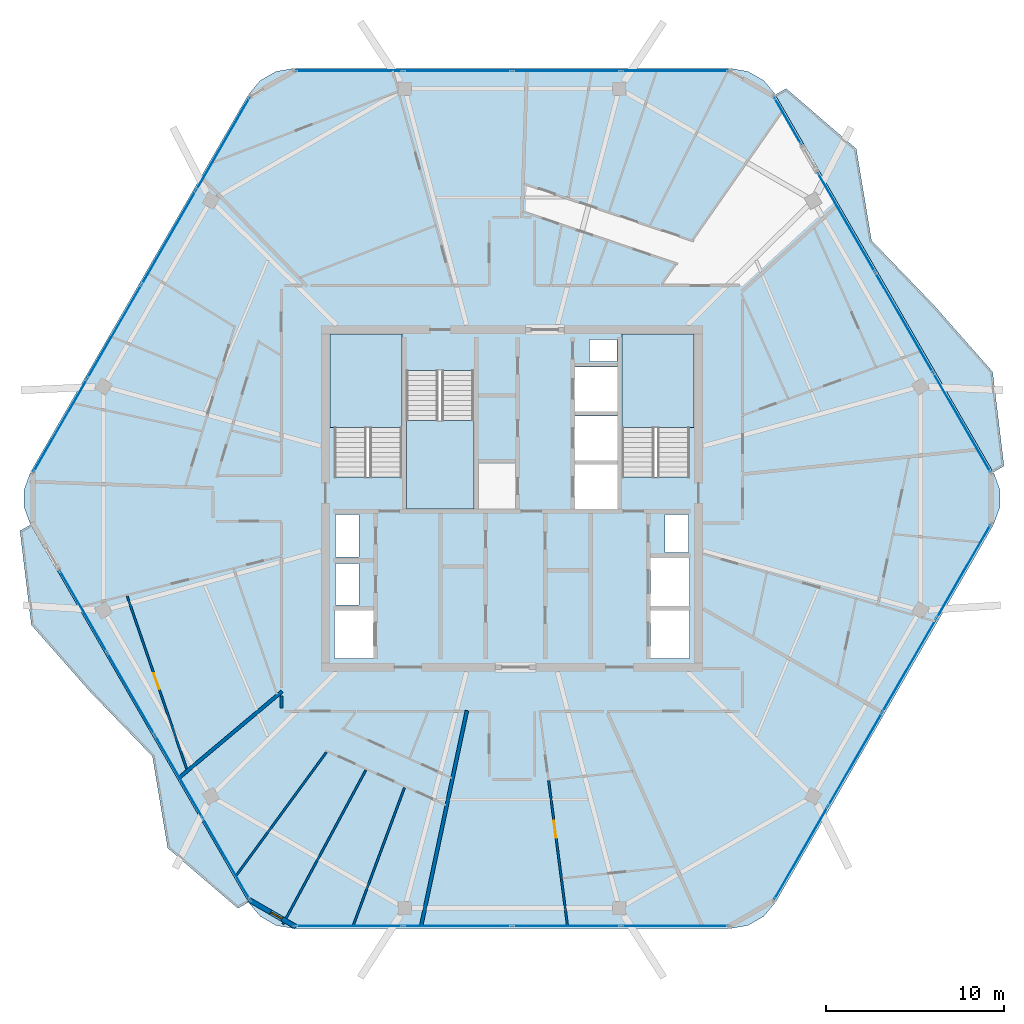
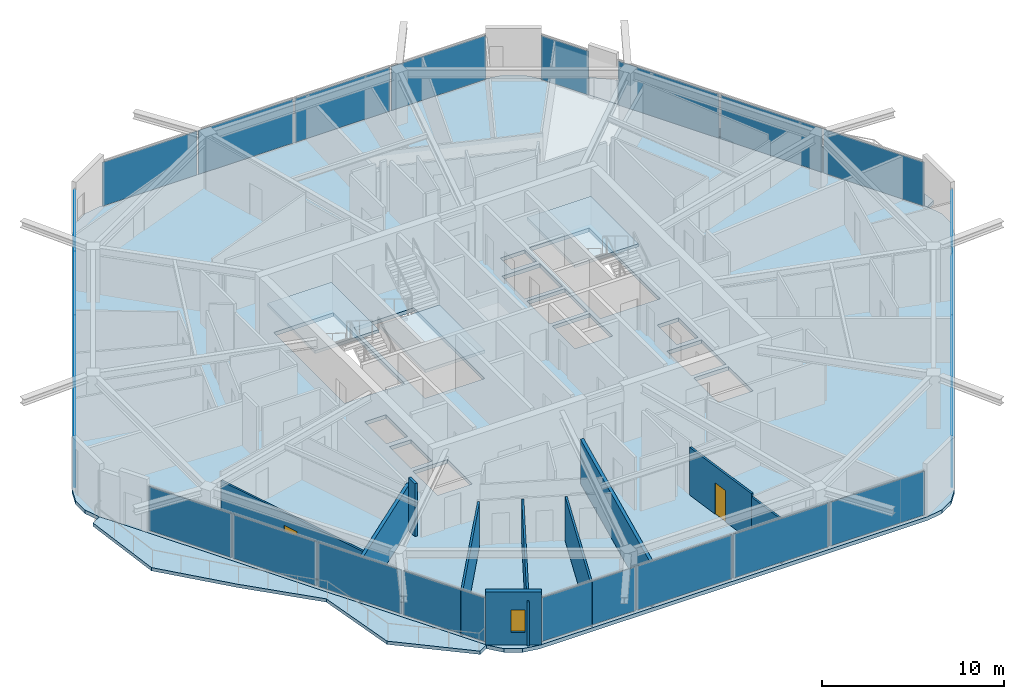
# One storey, part 11 of 18: 24 plates, 10 walls, 6 slabs, 2 doors, 1 window, 3 openings, 10 elements without a shape of their own.
"""IFC4 building model written with IfcOpenShell, lengths in metres."""

from ifc_helpers import new_model, si_unit, direction, frame, frame_2d, origin, origin_2d, place, context, subcontext, project, spatial, polyline, rectangle, outline, extrude, material, layer, layer_set, type_object, element, fill, aggregate, save


model = new_model("IFC4")

# Units and contexts
model_context = context("Model", 3, precision=1e-05, world=origin(), true_north=direction((0.0, 1.0)))
body_context = subcontext(model_context, "Body", "Model", "MODEL_VIEW")
ifc_project = project(units=[si_unit("LENGTHUNIT", "METRE"), si_unit("AREAUNIT", "SQUARE_METRE"), si_unit("VOLUMEUNIT", "CUBIC_METRE"), si_unit("PLANEANGLEUNIT", "RADIAN"), si_unit("MASSUNIT", "GRAM", prefix="KILO")], contexts=[model_context])

# Site, building, storey
site_placement = place(None, origin())
site = spatial("IfcSite", under=ifc_project, at=site_placement, CompositionType="ELEMENT")
building_placement = place(site_placement, origin())
building = spatial("IfcBuilding", under=site, at=building_placement, Name="Zuhravey Tower", CompositionType="ELEMENT")
storey_placement = place(building_placement, frame((0.0, 0.0, 342.39990234375)))
storey = spatial("IfcBuildingStorey", under=building, at=storey_placement, Name="L87", CompositionType="ELEMENT", Elevation=342.39990234375)

# Slabs
ifc_material_1 = material(Name="Concrete C50/60", Category="concrete")
ifc_layer_1 = layer(ifc_material_1, 0.25)
ifc_layer_set_1 = layer_set([ifc_layer_1], Name="Concrete C50/60")
slab_type_1 = type_object("IfcSlabType", Name="Residential Acoustic Slab 250", PredefinedType="FLOOR", material=ifc_layer_set_1)
slab_1_placement = place(storey_placement, frame((0.0, 0.0, -0.25)))
element("IfcSlab", 1, at=slab_1_placement, inside=storey, type_object=slab_type_1, Name="L87 Floor Slab FS25", PredefinedType="FLOOR", context=body_context, shape_type="SweptSolid", body=[
    extrude(outline(polyline([(63.1083984375, 30.52490234375), (63.458740234375, 31.48779296875), (63.458740234375, 32.51220703125), (63.1083984375, 33.47509765625), (50.83154296875, 54.739013671875), (50.173095703125, 55.52392578125), (49.285888671875, 56.0361328125), (48.27685546875, 56.214111328125), (23.72314453125, 56.214111328125), (22.714111328125, 56.0361328125), (21.826904296875, 55.52392578125), (21.16845703125, 54.739013671875), (8.8916015625, 33.47509765625), (8.541259765625, 32.51220703125), (8.541259765625, 31.48779296875), (8.8916015625, 30.52490234375), (21.16845703125, 9.260986328125), (21.826904296875, 8.47607421875), (22.714111328125, 7.9638671875), (23.72314453125, 7.785888671875), (48.27685546875, 7.785888671875), (49.285888671875, 7.9638671875), (50.173095703125, 8.47607421875), (50.83154296875, 9.260986328125), (63.1083984375, 30.52490234375)]), holes=[polyline([(29.800048828125, 33.20068359375), (29.800048828125, 41.0), (26.0, 41.0), (26.0, 33.20068359375), (29.800048828125, 33.20068359375)]), polyline([(46.0, 33.20068359375), (46.0, 41.0), (42.199951171875, 41.0), (42.199951171875, 33.20068359375), (46.0, 33.20068359375)]), polyline([(30.050048828125, 39.199462890625), (30.050048828125, 31.39990234375), (33.85009765625, 31.39990234375), (33.85009765625, 39.199462890625), (30.050048828125, 39.199462890625)]), polyline([(39.550048828125, 31.39990234375), (41.949951171875, 31.39990234375), (41.949951171875, 33.89990234375), (39.550048828125, 33.89990234375), (39.550048828125, 31.39990234375)]), polyline([(39.550048828125, 34.14990234375), (41.949951171875, 34.14990234375), (41.949951171875, 36.64990234375), (39.550048828125, 36.64990234375), (39.550048828125, 34.14990234375)]), polyline([(39.550048828125, 36.89990234375), (41.949951171875, 36.89990234375), (41.949951171875, 39.39990234375), (39.550048828125, 39.39990234375), (39.550048828125, 36.89990234375)]), polyline([(26.0, 23.0), (28.199951171875, 23.0), (28.199951171875, 25.699951171875), (26.0, 25.699951171875), (26.0, 23.0)]), polyline([(43.800048828125, 23.0), (46.0, 23.0), (46.0, 25.699951171875), (43.800048828125, 25.699951171875), (43.800048828125, 23.0)]), polyline([(43.800048828125, 25.949951171875), (46.0, 25.949951171875), (46.0, 28.64990234375), (43.800048828125, 28.64990234375), (43.800048828125, 25.949951171875)]), polyline([(26.050048828125, 26.0), (27.39990234375, 26.0), (27.39990234375, 28.35009765625), (26.050048828125, 28.35009765625), (26.050048828125, 26.0)]), polyline([(26.050048828125, 28.699951171875), (27.39990234375, 28.699951171875), (27.39990234375, 31.10009765625), (26.050048828125, 31.10009765625), (26.050048828125, 28.699951171875)]), polyline([(44.60009765625, 28.949951171875), (45.949951171875, 28.949951171875), (45.949951171875, 31.10009765625), (44.60009765625, 31.10009765625), (44.60009765625, 28.949951171875)]), polyline([(40.35009765625, 39.699951171875), (41.89990234375, 39.699951171875), (41.89990234375, 40.949951171875), (40.35009765625, 40.949951171875), (40.35009765625, 39.699951171875)])]), origin(), (0.0, 0.0, 1.0), 0.25),
])
ifc_material_2 = material(Name="Concrete C40/50", Category="concrete")
ifc_layer_2 = layer(ifc_material_2, 0.219970703125)
ifc_layer_set_2 = layer_set([ifc_layer_2], Name="Concrete C40/50")
slab_type_2 = type_object("IfcSlabType", Name="Sinusoidal Residential Wave Balcony 220", PredefinedType="FLOOR", material=ifc_layer_set_2)
slab_2_placement = place(storey_placement, frame((0.0, 0.0, -0.219970703125)))
element("IfcSlab", 2, at=slab_2_placement, inside=storey, type_object=slab_type_2, Name="L87 Face 4 Wave Balcony WB22", PredefinedType="FLOOR", context=body_context, shape_type="SweptSolid", body=[
    extrude(outline(polyline([(8.908935546875, 30.52490234375), (21.177001953125, 9.27587890625), (20.57080078125, 8.92578125), (16.623779296875, 12.3134765625), (15.761474609375, 17.48193359375), (12.252197265625, 21.122314453125), (8.943603515625, 24.878662109375), (8.302734375, 30.175048828125), (8.908935546875, 30.52490234375)])), origin(), (0.0, 0.0, 1.0), 0.219970703125),
])
slab_3_placement = place(storey_placement, frame((0.0, 0.0, -0.219970703125)))
element("IfcSlab", 3, at=slab_3_placement, inside=storey, type_object=slab_type_2, Name="L87 Face 1 Wave Balcony WB22", PredefinedType="FLOOR", context=body_context, shape_type="SweptSolid", body=[
    extrude(outline(polyline([(63.091064453125, 33.47509765625), (50.822998046875, 54.72412109375), (51.42919921875, 55.07421875), (55.376220703125, 51.6865234375), (56.238525390625, 46.51806640625), (59.747802734375, 42.877685546875), (63.056396484375, 39.121337890625), (63.697265625, 33.824951171875), (63.091064453125, 33.47509765625)])), origin(), (0.0, 0.0, 1.0), 0.219970703125),
])

# Stair, slab
stair_type = type_object("IfcStairType", Name="Housing Storey Stair Assembly 3800", PredefinedType="HALF_TURN_STAIR", material=ifc_material_2)
stair_1_placement = place(storey_placement, origin())
stair_1 = element("IfcStair", 4, at=stair_1_placement, inside=storey, type_object=stair_type, Name="L87 Core Exit Stair ST1", PredefinedType="HALF_TURN_STAIR")
ifc_layer_3 = layer(ifc_material_2, 0.199951171875)
ifc_layer_set_3 = layer_set([ifc_layer_3], Name="Concrete C40/50")
slab_type_3 = type_object("IfcSlabType", Name="Stair Landing Slab 200", PredefinedType="LANDING", material=ifc_layer_set_3)
slab_4_placement = place(storey_placement, frame((0.0, 0.0, 1.7001953125)))
slab_4 = element("IfcSlab", 5, at=slab_4_placement, type_object=slab_type_3, Name="ST1 landing 1", PredefinedType="LANDING", context=body_context, shape_type="SweptSolid", body=[
    extrude(outline(polyline([(29.800048828125, 36.0), (29.800048828125, 41.248046875), (25.751953125, 41.248046875), (25.751953125, 36.0), (29.800048828125, 36.0)])), origin(), (0.0, 0.0, 1.0), 0.199951171875),
])
aggregate(stair_1, [slab_4])

stair_2_placement = place(storey_placement, origin())
stair_2 = element("IfcStair", 6, at=stair_2_placement, inside=storey, type_object=stair_type, Name="L87 Core Exit Stair ST2", PredefinedType="HALF_TURN_STAIR")
slab_5_placement = place(storey_placement, frame((0.0, 0.0, 1.7001953125)))
slab_5 = element("IfcSlab", 7, at=slab_5_placement, type_object=slab_type_3, Name="ST2 landing 1", PredefinedType="LANDING", context=body_context, shape_type="SweptSolid", body=[
    extrude(outline(polyline([(46.248046875, 36.0), (46.248046875, 41.248046875), (42.199951171875, 41.248046875), (42.199951171875, 36.0), (46.248046875, 36.0)])), origin(), (0.0, 0.0, 1.0), 0.199951171875),
])
aggregate(stair_2, [slab_5])

stair_3_placement = place(storey_placement, origin())
stair_3 = element("IfcStair", 8, at=stair_3_placement, inside=storey, type_object=stair_type, Name="L87 Core Exit Stair ST3", PredefinedType="HALF_TURN_STAIR")
slab_6_placement = place(storey_placement, frame((0.0, 0.0, 1.7001953125)))
slab_6 = element("IfcSlab", 9, at=slab_6_placement, type_object=slab_type_3, Name="ST3 landing 1", PredefinedType="LANDING", context=body_context, shape_type="SweptSolid", body=[
    extrude(outline(polyline([(30.050048828125, 36.39990234375), (30.050048828125, 31.39990234375), (33.85009765625, 31.39990234375), (33.85009765625, 36.39990234375), (30.050048828125, 36.39990234375)])), origin(), (0.0, 0.0, 1.0), 0.199951171875),
])
aggregate(stair_3, [slab_6])

# Curtain wall, plates
ifc_material_3 = material(Name="Thermally broken anodised aluminium", Category="aluminium")
curtain_wall_type = type_object("IfcCurtainWallType", Name="Zone 3-4 High-Rise Curtain Wall CW4", PredefinedType="NOTDEFINED", material=ifc_material_3)
curtain_wall_1_placement = place(storey_placement, origin())
curtain_wall_1 = element("IfcCurtainWall", 10, at=curtain_wall_1_placement, inside=storey, type_object=curtain_wall_type, Name="L87 CW4 CW-L87-F6-1", PredefinedType="NOTDEFINED")
ifc_material_4 = material(Name="Triple low-E insulated vision glass", Category="glass")
ifc_layer_4 = layer(ifc_material_4, 0.0419921875)
ifc_layer_set_4 = layer_set([ifc_layer_4], Name="Triple low-E insulated vision glass")
plate_type = type_object("IfcPlateType", Name="Triple Low-E Vision Panel", PredefinedType="CURTAIN_PANEL", material=ifc_layer_set_4)
plate_1_placement = place(storey_placement, frame((61.42724609375, 27.89306640625, 0.090087890625), z_axis=(0.0, 0.0, 1.0), x_axis=(-0.49999981336, -0.866025511541, 0.0)))
plate_1 = element("IfcPlate", 11, at=plate_1_placement, type_object=plate_type, Name="CW4 panel 1.1", PredefinedType="CURTAIN_PANEL", context=body_context, shape_type="SweptSolid", body=[
    extrude(rectangle(XDim=5.984619140625, YDim=0.0419921875, at=origin_2d()), origin(), (0.0, 0.0, 1.0), 2.94189453125),
])
plate_2_placement = place(storey_placement, frame((58.378662109375, 22.61279296875, 0.090087890625), z_axis=(0.0, 0.0, 1.0), x_axis=(-0.49999981336, -0.866025511541, 0.0)))
plate_2 = element("IfcPlate", 12, at=plate_2_placement, type_object=plate_type, Name="CW4 panel 2.1", PredefinedType="CURTAIN_PANEL", context=body_context, shape_type="SweptSolid", body=[
    extrude(rectangle(XDim=6.029541015625, YDim=0.0419921875, at=origin_2d()), origin(), (0.0, 0.0, 1.0), 2.94189453125),
])
plate_3_placement = place(storey_placement, frame((55.31884765625, 17.31298828125, 0.090087890625), z_axis=(0.0, 0.0, 1.0), x_axis=(-0.49999981336, -0.866025511541, 0.0)))
plate_3 = element("IfcPlate", 13, at=plate_3_placement, type_object=plate_type, Name="CW4 panel 3.1", PredefinedType="CURTAIN_PANEL", context=body_context, shape_type="SweptSolid", body=[
    extrude(rectangle(XDim=6.029541015625, YDim=0.0419921875, at=origin_2d()), origin(), (0.0, 0.0, 1.0), 2.94189453125),
])
plate_4_placement = place(storey_placement, frame((52.270263671875, 12.03271484375, 0.090087890625), z_axis=(0.0, 0.0, 1.0), x_axis=(-0.49999981336, -0.866025511541, 0.0)))
plate_4 = element("IfcPlate", 14, at=plate_4_placement, type_object=plate_type, Name="CW4 panel 4.1", PredefinedType="CURTAIN_PANEL", context=body_context, shape_type="SweptSolid", body=[
    extrude(rectangle(XDim=5.984619140625, YDim=0.0419921875, at=origin_2d()), origin(), (0.0, 0.0, 1.0), 2.94189453125),
])
aggregate(curtain_wall_1, [plate_1, plate_2, plate_3, plate_4])

curtain_wall_2_placement = place(storey_placement, origin())
curtain_wall_2 = element("IfcCurtainWall", 15, at=curtain_wall_2_placement, inside=storey, type_object=curtain_wall_type, Name="L87 CW4 CW-L87-F5-1", PredefinedType="NOTDEFINED")
plate_5_placement = place(storey_placement, frame((45.156982421875, 7.92578125, 0.090087890625), z_axis=(0.0, 0.0, 1.0), x_axis=(-1.0, 0.0, 0.0)))
plate_5 = element("IfcPlate", 16, at=plate_5_placement, type_object=plate_type, Name="CW4 panel 1.1", PredefinedType="CURTAIN_PANEL", context=body_context, shape_type="SweptSolid", body=[
    extrude(rectangle(XDim=5.984619140625, YDim=0.0419921875, at=origin_2d()), origin(), (0.0, 0.0, 1.0), 2.94189453125),
])
plate_6_placement = place(storey_placement, frame((39.059814453125, 7.92578125, 0.090087890625), z_axis=(0.0, 0.0, 1.0), x_axis=(-1.0, 0.0, 0.0)))
plate_6 = element("IfcPlate", 17, at=plate_6_placement, type_object=plate_type, Name="CW4 panel 2.1", PredefinedType="CURTAIN_PANEL", context=body_context, shape_type="SweptSolid", body=[
    extrude(rectangle(XDim=6.029541015625, YDim=0.0419921875, at=origin_2d()), origin(), (0.0, 0.0, 1.0), 2.94189453125),
])
plate_7_placement = place(storey_placement, frame((32.940185546875, 7.92578125, 0.090087890625), z_axis=(0.0, 0.0, 1.0), x_axis=(-1.0, 0.0, 0.0)))
plate_7 = element("IfcPlate", 18, at=plate_7_placement, type_object=plate_type, Name="CW4 panel 3.1", PredefinedType="CURTAIN_PANEL", context=body_context, shape_type="SweptSolid", body=[
    extrude(rectangle(XDim=6.029541015625, YDim=0.0419921875, at=origin_2d()), origin(), (0.0, 0.0, 1.0), 2.94189453125),
])
plate_8_placement = place(storey_placement, frame((26.843017578125, 7.92578125, 0.090087890625), z_axis=(0.0, 0.0, 1.0), x_axis=(-1.0, 0.0, 0.0)))
plate_8 = element("IfcPlate", 19, at=plate_8_placement, type_object=plate_type, Name="CW4 panel 4.1", PredefinedType="CURTAIN_PANEL", context=body_context, shape_type="SweptSolid", body=[
    extrude(rectangle(XDim=5.984619140625, YDim=0.0419921875, at=origin_2d()), origin(), (0.0, 0.0, 1.0), 2.94189453125),
])
aggregate(curtain_wall_2, [plate_5, plate_6, plate_7, plate_8])

curtain_wall_3_placement = place(storey_placement, origin())
curtain_wall_3 = element("IfcCurtainWall", 20, at=curtain_wall_3_placement, inside=storey, type_object=curtain_wall_type, Name="L87 CW4 CW-L87-F4-1", PredefinedType="NOTDEFINED")
plate_9_placement = place(storey_placement, frame((19.914306640625, 11.712890625, 0.090087890625), z_axis=(0.0, 0.0, 1.0), x_axis=(-0.499999146728, 0.866025896421, 0.0)))
plate_9 = element("IfcPlate", 21, at=plate_9_placement, type_object=plate_type, Name="CW4 panel 1.1", PredefinedType="CURTAIN_PANEL", context=body_context, shape_type="SweptSolid", body=[
    extrude(rectangle(XDim=5.245849609375, YDim=0.0419921875, at=origin_2d()), origin(), (0.0, 0.0, 1.0), 2.94189453125),
])
plate_10_placement = place(storey_placement, frame((17.235107421875, 16.353515625, 0.090087890625), z_axis=(0.0, 0.0, 1.0), x_axis=(-0.499999146728, 0.866025896421, 0.0)))
plate_10 = element("IfcPlate", 22, at=plate_10_placement, type_object=plate_type, Name="CW4 panel 2.1", PredefinedType="CURTAIN_PANEL", context=body_context, shape_type="SweptSolid", body=[
    extrude(rectangle(XDim=5.291015625, YDim=0.0419921875, at=origin_2d()), origin(), (0.0, 0.0, 1.0), 2.94189453125),
])
plate_11_placement = place(storey_placement, frame((14.544677734375, 21.013427734375, 0.090087890625), z_axis=(0.0, 0.0, 1.0), x_axis=(-0.499999146728, 0.866025896421, 0.0)))
plate_11 = element("IfcPlate", 23, at=plate_11_placement, type_object=plate_type, Name="CW4 panel 3.1", PredefinedType="CURTAIN_PANEL", context=body_context, shape_type="SweptSolid", body=[
    extrude(rectangle(XDim=5.291015625, YDim=0.0419921875, at=origin_2d()), origin(), (0.0, 0.0, 1.0), 2.94189453125),
])
plate_12_placement = place(storey_placement, frame((11.865478515625, 25.654052734375, 0.090087890625), z_axis=(0.0, 0.0, 1.0), x_axis=(-0.499999146728, 0.866025896421, 0.0)))
plate_12 = element("IfcPlate", 24, at=plate_12_placement, type_object=plate_type, Name="CW4 panel 4.1", PredefinedType="CURTAIN_PANEL", context=body_context, shape_type="SweptSolid", body=[
    extrude(rectangle(XDim=5.245849609375, YDim=0.0419921875, at=origin_2d()), origin(), (0.0, 0.0, 1.0), 2.94189453125),
])
aggregate(curtain_wall_3, [plate_9, plate_10, plate_11, plate_12])

curtain_wall_4_placement = place(storey_placement, origin())
curtain_wall_4 = element("IfcCurtainWall", 25, at=curtain_wall_4_placement, inside=storey, type_object=curtain_wall_type, Name="L87 CW4 CW-L87-F3-1", PredefinedType="NOTDEFINED")
plate_13_placement = place(storey_placement, frame((10.57275390625, 36.10693359375, 0.090087890625), z_axis=(0.0, 0.0, 1.0), x_axis=(0.49999981336, 0.866025511541, 0.0)))
plate_13 = element("IfcPlate", 26, at=plate_13_placement, type_object=plate_type, Name="CW4 panel 1.1", PredefinedType="CURTAIN_PANEL", context=body_context, shape_type="SweptSolid", body=[
    extrude(rectangle(XDim=5.984619140625, YDim=0.0419921875, at=origin_2d()), origin(), (0.0, 0.0, 1.0), 2.94189453125),
])
plate_14_placement = place(storey_placement, frame((13.621337890625, 41.38720703125, 0.090087890625), z_axis=(0.0, 0.0, 1.0), x_axis=(0.49999981336, 0.866025511541, 0.0)))
plate_14 = element("IfcPlate", 27, at=plate_14_placement, type_object=plate_type, Name="CW4 panel 2.1", PredefinedType="CURTAIN_PANEL", context=body_context, shape_type="SweptSolid", body=[
    extrude(rectangle(XDim=6.029541015625, YDim=0.0419921875, at=origin_2d()), origin(), (0.0, 0.0, 1.0), 2.94189453125),
])
plate_15_placement = place(storey_placement, frame((16.68115234375, 46.68701171875, 0.090087890625), z_axis=(0.0, 0.0, 1.0), x_axis=(0.49999981336, 0.866025511541, 0.0)))
plate_15 = element("IfcPlate", 28, at=plate_15_placement, type_object=plate_type, Name="CW4 panel 3.1", PredefinedType="CURTAIN_PANEL", context=body_context, shape_type="SweptSolid", body=[
    extrude(rectangle(XDim=6.029541015625, YDim=0.0419921875, at=origin_2d()), origin(), (0.0, 0.0, 1.0), 2.94189453125),
])
plate_16_placement = place(storey_placement, frame((19.729736328125, 51.96728515625, 0.090087890625), z_axis=(0.0, 0.0, 1.0), x_axis=(0.49999981336, 0.866025511541, 0.0)))
plate_16 = element("IfcPlate", 29, at=plate_16_placement, type_object=plate_type, Name="CW4 panel 4.1", PredefinedType="CURTAIN_PANEL", context=body_context, shape_type="SweptSolid", body=[
    extrude(rectangle(XDim=5.984619140625, YDim=0.0419921875, at=origin_2d()), origin(), (0.0, 0.0, 1.0), 2.94189453125),
])
aggregate(curtain_wall_4, [plate_13, plate_14, plate_15, plate_16])

curtain_wall_5_placement = place(storey_placement, origin())
curtain_wall_5 = element("IfcCurtainWall", 30, at=curtain_wall_5_placement, inside=storey, type_object=curtain_wall_type, Name="L87 CW4 CW-L87-F2-1", PredefinedType="NOTDEFINED")
plate_17_placement = place(storey_placement, frame((26.843017578125, 56.07421875, 0.090087890625), z_axis=(0.0, 0.0, 1.0), x_axis=(1.0, 0.0, 0.0)))
plate_17 = element("IfcPlate", 31, at=plate_17_placement, type_object=plate_type, Name="CW4 panel 1.1", PredefinedType="CURTAIN_PANEL", context=body_context, shape_type="SweptSolid", body=[
    extrude(rectangle(XDim=5.984619140625, YDim=0.0419921875, at=origin_2d()), origin(), (0.0, 0.0, 1.0), 2.94189453125),
])
plate_18_placement = place(storey_placement, frame((32.940185546875, 56.07421875, 0.090087890625), z_axis=(0.0, 0.0, 1.0), x_axis=(1.0, 0.0, 0.0)))
plate_18 = element("IfcPlate", 32, at=plate_18_placement, type_object=plate_type, Name="CW4 panel 2.1", PredefinedType="CURTAIN_PANEL", context=body_context, shape_type="SweptSolid", body=[
    extrude(rectangle(XDim=6.029541015625, YDim=0.0419921875, at=origin_2d()), origin(), (0.0, 0.0, 1.0), 2.94189453125),
])
plate_19_placement = place(storey_placement, frame((39.059814453125, 56.07421875, 0.090087890625), z_axis=(0.0, 0.0, 1.0), x_axis=(1.0, 0.0, 0.0)))
plate_19 = element("IfcPlate", 33, at=plate_19_placement, type_object=plate_type, Name="CW4 panel 3.1", PredefinedType="CURTAIN_PANEL", context=body_context, shape_type="SweptSolid", body=[
    extrude(rectangle(XDim=6.029541015625, YDim=0.0419921875, at=origin_2d()), origin(), (0.0, 0.0, 1.0), 2.94189453125),
])
plate_20_placement = place(storey_placement, frame((45.156982421875, 56.07421875, 0.090087890625), z_axis=(0.0, 0.0, 1.0), x_axis=(1.0, 0.0, 0.0)))
plate_20 = element("IfcPlate", 34, at=plate_20_placement, type_object=plate_type, Name="CW4 panel 4.1", PredefinedType="CURTAIN_PANEL", context=body_context, shape_type="SweptSolid", body=[
    extrude(rectangle(XDim=5.984619140625, YDim=0.0419921875, at=origin_2d()), origin(), (0.0, 0.0, 1.0), 2.94189453125),
])
aggregate(curtain_wall_5, [plate_17, plate_18, plate_19, plate_20])

# Curtain wall, plate
curtain_wall_6_placement = place(storey_placement, origin())
curtain_wall_6 = element("IfcCurtainWall", 35, at=curtain_wall_6_placement, inside=storey, type_object=curtain_wall_type, Name="L87 CW4 CW-L87-F1-1", PredefinedType="NOTDEFINED")
plate_21_placement = place(storey_placement, frame((51.530517578125, 53.248291015625, 0.090087890625), z_axis=(0.0, 0.0, 1.0), x_axis=(0.49998344772, -0.866034960037, 0.0)))
plate_21 = element("IfcPlate", 36, at=plate_21_placement, type_object=plate_type, Name="CW4 panel 1.1", PredefinedType="CURTAIN_PANEL", context=body_context, shape_type="SweptSolid", body=[
    extrude(rectangle(XDim=3.026123046875, YDim=0.0419921875, at=origin_2d()), origin(), (0.0, 0.0, 1.0), 2.94189453125),
])
aggregate(curtain_wall_6, [plate_21])

# Curtain wall, plates
curtain_wall_7_placement = place(storey_placement, origin())
curtain_wall_7 = element("IfcCurtainWall", 37, at=curtain_wall_7_placement, inside=storey, type_object=curtain_wall_type, Name="L87 CW4 CW-L87-F1-2", PredefinedType="NOTDEFINED")
plate_22_placement = place(storey_placement, frame((54.824462890625, 47.543212890625, 0.090087890625), z_axis=(0.0, 0.0, 1.0), x_axis=(0.500001522502, -0.866024524765, 0.0)))
plate_22 = element("IfcPlate", 38, at=plate_22_placement, type_object=plate_type, Name="CW4 panel 1.1", PredefinedType="CURTAIN_PANEL", context=body_context, shape_type="SweptSolid", body=[
    extrude(rectangle(XDim=6.38916015625, YDim=0.0419921875, at=origin_2d()), origin(), (0.0, 0.0, 1.0), 2.94189453125),
])
plate_23_placement = place(storey_placement, frame((58.0751953125, 41.91259765625, 0.090087890625), z_axis=(0.0, 0.0, 1.0), x_axis=(0.500001522502, -0.866024524765, 0.0)))
plate_23 = element("IfcPlate", 39, at=plate_23_placement, type_object=plate_type, Name="CW4 panel 2.1", PredefinedType="CURTAIN_PANEL", context=body_context, shape_type="SweptSolid", body=[
    extrude(rectangle(XDim=6.43408203125, YDim=0.0419921875, at=origin_2d()), origin(), (0.0, 0.0, 1.0), 2.94189453125),
])
plate_24_placement = place(storey_placement, frame((61.326171875, 36.281982421875, 0.090087890625), z_axis=(0.0, 0.0, 1.0), x_axis=(0.500001522502, -0.866024524765, 0.0)))
plate_24 = element("IfcPlate", 40, at=plate_24_placement, type_object=plate_type, Name="CW4 panel 3.1", PredefinedType="CURTAIN_PANEL", context=body_context, shape_type="SweptSolid", body=[
    extrude(rectangle(XDim=6.38916015625, YDim=0.0419921875, at=origin_2d()), origin(), (0.0, 0.0, 1.0), 2.94189453125),
])
aggregate(curtain_wall_7, [plate_22, plate_23, plate_24])

# Wall
ifc_material_5 = material(Name="Gypsum fire-rated stud partition")
ifc_layer_5 = layer(ifc_material_5, 0.159912109375)
ifc_layer_set_5 = layer_set([ifc_layer_5], Name="Gypsum fire-rated stud partition")
wall_type_1 = type_object("IfcWallType", Name="Corridor Fire Partition 160", PredefinedType="PARTITIONING", material=ifc_layer_set_5)
wall_1_placement = place(storey_placement, frame((23.02001953125, 20.8876953125, 0.0), z_axis=(0.0, 0.0, 1.0), x_axis=(0.0, -1.0, 0.0)))
element("IfcWall", 41, at=wall_1_placement, inside=storey, type_object=wall_type_1, Name="L87 IW16 Partition 116", PredefinedType="PARTITIONING", context=body_context, shape_type="SweptSolid", body=[
    extrude(rectangle(XDim=0.68701171875, YDim=0.159912109375, at=frame_2d((0.343505859375, 0.0))), origin(), (0.0, 0.0, 1.0), 3.550048828125),
])

# Wall, opening, window
ifc_material_6 = material(Name="Precast concrete C40/50", Category="concrete")
ifc_layer_6 = layer(ifc_material_6, 0.280029296875)
ifc_layer_set_6 = layer_set([ifc_layer_6], Name="Precast concrete C40/50")
wall_type_2 = type_object("IfcWallType", Name="Crown Architectural Wall 280", PredefinedType="SOLIDWALL", material=ifc_layer_set_6)
wall_2_placement = place(storey_placement, frame((23.843017578125, 7.87841796875, 0.0), z_axis=(0.0, 0.0, 1.0), x_axis=(-0.866023752521, 0.50000286006, 0.0)))
wall_2 = element("IfcWall", 42, at=wall_2_placement, inside=storey, type_object=wall_type_2, Name="L87 Rounded Corner Closure Wall EW28-04", PredefinedType="SOLIDWALL", context=body_context, shape_type="SweptSolid", body=[
    extrude(rectangle(XDim=3.06494140625, YDim=0.280029296875, at=frame_2d((1.532470703125, 0.0))), origin(), (0.0, 0.0, 1.0), 3.550048828125),
])
opening_1_placement = place(wall_2_placement, frame((0.900634765625, 0.0, 0.85009765625)))
opening_1 = element("IfcOpeningElement", 43, at=opening_1_placement, cuts=wall_2, Name="Opening WN5", PredefinedType="OPENING", context=body_context, shape_type="SweptSolid", body=[
    extrude(rectangle(XDim=0.75, YDim=1.5, at=frame_2d((0.375, 0.75))), frame((0.0, 0.152099609375, 0.0), z_axis=(0.0, -1.0, 0.0), x_axis=(1.0, 0.0, 0.0)), (0.0, 0.0, 1.0), 0.303955078125),
])
ifc_material_7 = material(Name="Thermally broken aluminium and triple low-E glass", Category="aluminium")
window_type = type_object("IfcWindowType", Name="Residential Corner Casement Window 750x1500", PartitioningType="SINGLE_PANEL", PredefinedType="WINDOW", material=ifc_material_7)
window_placement = place(opening_1_placement, origin())
window = element("IfcWindow", 44, at=window_placement, inside=storey, type_object=window_type, Name="L87 Corner Casement Window WN5-04.1", OverallHeight=1.5, OverallWidth=0.75, PartitioningType="SINGLE_PANEL", PredefinedType="WINDOW", context=body_context, shape_type="SweptSolid", body=[
    extrude(rectangle(XDim=0.75, YDim=1.5, at=frame_2d((0.375, 0.75))), frame((0.0, 0.030029296875, 0.0), z_axis=(0.0, -1.0, 0.0), x_axis=(1.0, 0.0, 0.0)), (0.0, 0.0, 1.0), 0.06005859375),
])
fill(opening_1, window)

# Walls
ifc_material_8 = material(Name="Gypsum double-stud party assembly")
ifc_layer_7 = layer(ifc_material_8, 0.199951171875)
ifc_layer_set_7 = layer_set([ifc_layer_7], Name="Gypsum double-stud party assembly")
wall_type_3 = type_object("IfcWallType", Name="Inter-Tenancy Party Wall 200", PredefinedType="PARTITIONING", material=ifc_layer_set_7)
wall_3_placement = place(storey_placement, frame((23.06005859375, 21.14208984375, 0.0), z_axis=(0.0, 0.0, 1.0), x_axis=(-0.766052406388, -0.642778119313, 0.0)))
element("IfcWall", 45, at=wall_3_placement, inside=storey, type_object=wall_type_3, Name="L87 IW20 Partition 080", PredefinedType="PARTITIONING", context=body_context, shape_type="SweptSolid", body=[
    extrude(rectangle(XDim=7.553466796875, YDim=0.199951171875, at=frame_2d((3.77685546875, 0.0))), origin(), (0.0, 0.0, 1.0), 2.97021484375),
])
wall_4_placement = place(storey_placement, frame((33.462158203125, 20.06005859375, 0.0), z_axis=(0.0, 0.0, 1.0), x_axis=(-0.207921364867, -0.978145544401, 0.0)))
element("IfcWall", 46, at=wall_4_placement, inside=storey, type_object=wall_type_3, Name="L87 IW20 Partition 086", PredefinedType="PARTITIONING", context=body_context, shape_type="SweptSolid", body=[
    extrude(rectangle(XDim=12.4052734375, YDim=0.199951171875, at=frame_2d((6.20263671875, 0.0))), origin(), (0.0, 0.0, 1.0), 2.97021484375),
])

# Wall, opening, door
ifc_material_9 = material(Name="Gypsum metal-stud partition")
ifc_layer_8 = layer(ifc_material_9, 0.1201171875)
ifc_layer_set_8 = layer_set([ifc_layer_8], Name="Gypsum metal-stud partition")
wall_type_4 = type_object("IfcWallType", Name="Unit Internal Partition 120", PredefinedType="PARTITIONING", material=ifc_layer_set_8)
wall_5_placement = place(storey_placement, frame((14.337158203125, 26.49658203125, 0.0), z_axis=(0.0, 0.0, 1.0), x_axis=(0.325570697436, -0.945517699978, 0.0)))
wall_5 = element("IfcWall", 47, at=wall_5_placement, inside=storey, type_object=wall_type_4, Name="L87 IW12 Partition 032", PredefinedType="PARTITIONING", context=body_context, shape_type="SweptSolid", body=[
    extrude(rectangle(XDim=10.283935546875, YDim=0.1201171875, at=frame_2d((5.14208984375, 0.0))), origin(), (0.0, 0.0, 1.0), 2.97021484375),
])
opening_2_placement = place(wall_5_placement, frame((4.58251953125, 0.0, 0.0)))
opening_2 = element("IfcOpeningElement", 48, at=opening_2_placement, cuts=wall_5, Name="Opening IND1", PredefinedType="OPENING", context=body_context, shape_type="SweptSolid", body=[
    extrude(rectangle(XDim=0.949951171875, YDim=2.10009765625, at=frame_2d((0.47509765625, 1.050048828125))), frame((0.0, 0.072021484375, 0.0), z_axis=(0.0, -1.0, 0.0), x_axis=(1.0, 0.0, 0.0)), (0.0, 0.0, 1.0), 0.14404296875),
])
ifc_material_10 = material(Name="Painted engineered timber leaf", Category="wood")
door_type = type_object("IfcDoorType", Name="Internal Room & Bedroom Door 950x2100", OperationType="NOTDEFINED", PredefinedType="DOOR", material=ifc_material_10)
door_1_placement = place(opening_2_placement, frame((0.949951171875, 0.0, 0.0), z_axis=(0.0, 0.0, 1.0), x_axis=(-1.0, 0.0, 0.0)))
door_1 = element("IfcDoor", 49, at=door_1_placement, inside=storey, type_object=door_type, Name="Apartment L87-04 Bedroom 1 Door", OperationType="SINGLE_SWING_LEFT", OverallHeight=2.10009765625, OverallWidth=0.949951171875, PredefinedType="DOOR", context=body_context, shape_type="SweptSolid", body=[
    extrude(rectangle(XDim=0.949951171875, YDim=2.10009765625, at=frame_2d((0.47509765625, 1.050048828125))), frame((0.0, 0.02490234375, 0.0), z_axis=(0.0, -1.0, 0.0), x_axis=(1.0, 0.0, 0.0)), (0.0, 0.0, 1.0), 0.050048828125),
])
fill(opening_2, door_1)

wall_6_placement = place(storey_placement, frame((38.061767578125, 16.12451171875, 0.0), z_axis=(0.0, 0.0, 1.0), x_axis=(0.12882372942, -0.991667508159, 0.0)))
wall_6 = element("IfcWall", 50, at=wall_6_placement, inside=storey, type_object=wall_type_4, Name="L87 IW12 Partition 038", PredefinedType="PARTITIONING", context=body_context, shape_type="SweptSolid", body=[
    extrude(rectangle(XDim=5.5888671875, YDim=0.1201171875, at=frame_2d((2.79443359375, 0.0))), origin(), (0.0, 0.0, 1.0), 3.2001953125),
])
opening_3_placement = place(wall_6_placement, frame((2.29443359375, 0.0, 0.0)))
opening_3 = element("IfcOpeningElement", 51, at=opening_3_placement, cuts=wall_6, Name="Opening IND1", PredefinedType="OPENING", context=body_context, shape_type="SweptSolid", body=[
    extrude(rectangle(XDim=0.949951171875, YDim=2.10009765625, at=frame_2d((0.47509765625, 1.050048828125))), frame((0.0, 0.072021484375, 0.0), z_axis=(0.0, -1.0, 0.0), x_axis=(1.0, 0.0, 0.0)), (0.0, 0.0, 1.0), 0.14404296875),
])
door_2_placement = place(opening_3_placement, origin())
door_2 = element("IfcDoor", 52, at=door_2_placement, inside=storey, type_object=door_type, Name="Apartment L87-06 Home Office Door", OperationType="SINGLE_SWING_RIGHT", OverallHeight=2.10009765625, OverallWidth=0.949951171875, PredefinedType="DOOR", context=body_context, shape_type="SweptSolid", body=[
    extrude(rectangle(XDim=0.949951171875, YDim=2.10009765625, at=frame_2d((0.47509765625, 1.050048828125))), frame((0.0, 0.02490234375, 0.0), z_axis=(0.0, -1.0, 0.0), x_axis=(1.0, 0.0, 0.0)), (0.0, 0.0, 1.0), 0.050048828125),
])
fill(opening_3, door_2)

# Walls
wall_7_placement = place(storey_placement, frame((27.769287109375, 16.705078125, 0.0), z_axis=(0.0, 0.0, 1.0), x_axis=(-0.473888532378, -0.880584839116, 0.0)))
element("IfcWall", 53, at=wall_7_placement, inside=storey, type_object=wall_type_4, Name="L87 IW12 Partition 082", PredefinedType="PARTITIONING", context=body_context, shape_type="SweptSolid", body=[
    extrude(rectangle(XDim=9.85400390625, YDim=0.1201171875, at=frame_2d((4.927001953125, 0.0))), origin(), (0.0, 0.0, 1.0), 2.97021484375),
])
wall_8_placement = place(storey_placement, frame((29.947509765625, 15.7197265625, 0.0), z_axis=(0.0, 0.0, 1.0), x_axis=(-0.34846114111, -0.937323227673, 0.0)))
element("IfcWall", 54, at=wall_8_placement, inside=storey, type_object=wall_type_4, Name="L87 IW12 Partition 083", PredefinedType="PARTITIONING", context=body_context, shape_type="SweptSolid", body=[
    extrude(rectangle(XDim=8.325439453125, YDim=0.1201171875, at=frame_2d((4.16259765625, 0.0))), origin(), (0.0, 0.0, 1.0), 2.97021484375),
])
wall_9_placement = place(storey_placement, frame((25.548583984375, 17.709716796875, 0.0), z_axis=(0.0, 0.0, 1.0), x_axis=(-0.59031116807, -0.807175770729, 0.0)))
element("IfcWall", 55, at=wall_9_placement, inside=storey, type_object=wall_type_4, Name="L87 IW12 Partition 085", PredefinedType="PARTITIONING", context=body_context, shape_type="SweptSolid", body=[
    extrude(rectangle(XDim=8.622314453125, YDim=0.1201171875, at=frame_2d((4.31103515625, 0.0))), origin(), (0.0, 0.0, 1.0), 2.97021484375),
])
wall_10_placement = place(storey_placement, frame((38.781494140625, 10.582275390625, 0.0), z_axis=(0.0, 0.0, 1.0), x_axis=(0.12881414138, -0.991668753658, 0.0)))
element("IfcWall", 56, at=wall_10_placement, inside=storey, type_object=wall_type_4, Name="L87 IW12 Partition 088", PredefinedType="PARTITIONING", context=body_context, shape_type="SweptSolid", body=[
    extrude(rectangle(XDim=2.683837890625, YDim=0.1201171875, at=frame_2d((1.341796875, 0.0))), origin(), (0.0, 0.0, 1.0), 2.97021484375),
])

save(model, "model.ifc")
